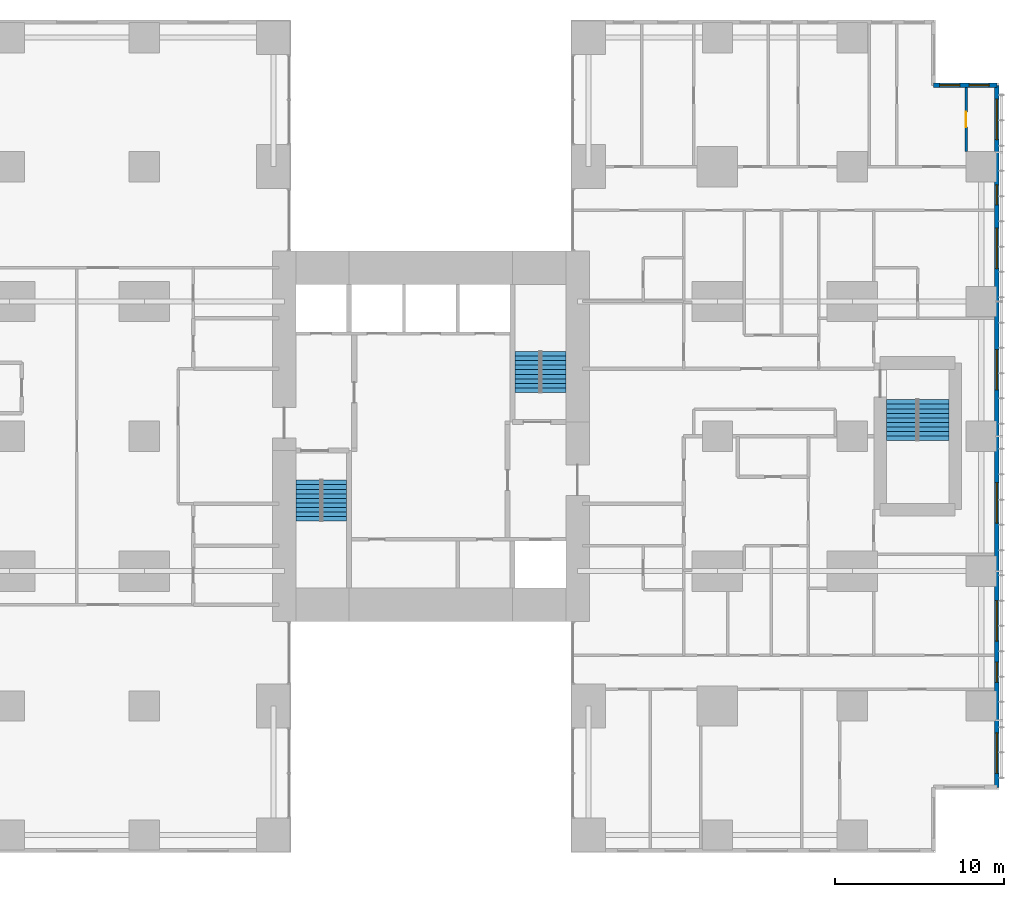
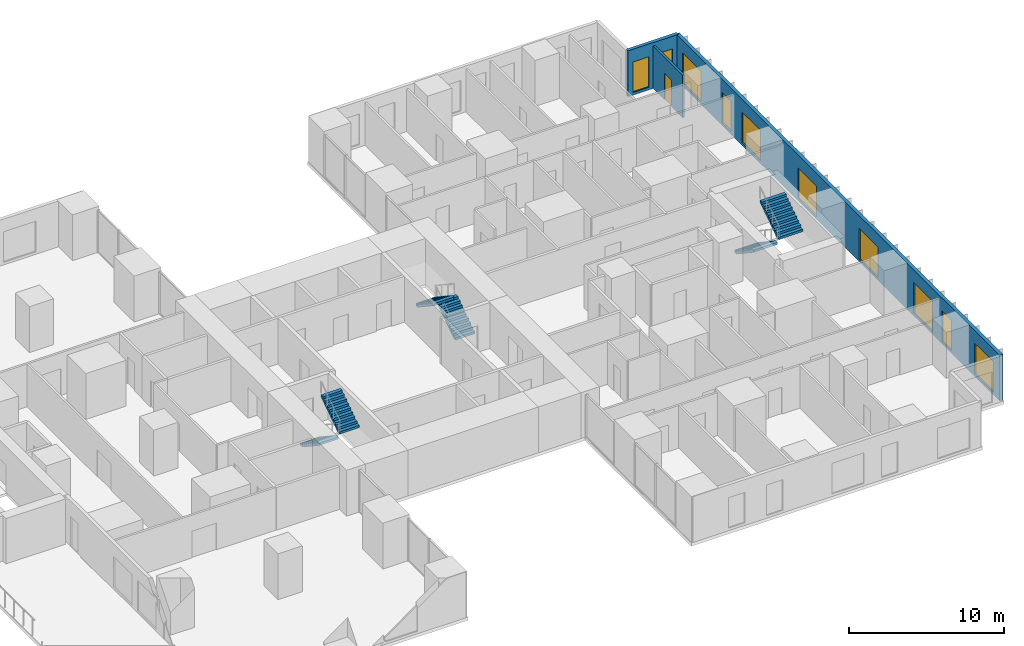
# One storey, part 15 of 16: 10 windows, 6 stair flights, 3 walls, 1 door, 11 openings, 3 elements without a shape of their own.
"""IFC4 building model written with IfcOpenShell, lengths in metres."""

from ifc_helpers import new_model, si_unit, direction, frame, frame_2d, origin, place, context, subcontext, project, spatial, polyline, rectangle, outline, extrude, material, layer, layer_set, type_object, element, fill, aggregate, save


model = new_model("IFC4")

# Units and contexts
model_context = context("Model", 3, precision=1e-05, world=origin(), true_north=direction((0.0, 1.0)))
body_context = subcontext(model_context, "Body", "Model", "MODEL_VIEW")
ifc_project = project(units=[si_unit("LENGTHUNIT", "METRE"), si_unit("AREAUNIT", "SQUARE_METRE"), si_unit("VOLUMEUNIT", "CUBIC_METRE"), si_unit("PLANEANGLEUNIT", "RADIAN"), si_unit("MASSUNIT", "GRAM", prefix="KILO")], contexts=[model_context])

# Site, building, storey
site_placement = place(None, origin())
site = spatial("IfcSite", under=ifc_project, at=site_placement, CompositionType="ELEMENT")
building_placement = place(site_placement, origin())
building = spatial("IfcBuilding", under=site, at=building_placement, Name="Cleftline Residences", CompositionType="ELEMENT")
storey_placement = place(building_placement, frame((0.0, 0.0, 218.199951171875)))
storey = spatial("IfcBuildingStorey", under=building, at=storey_placement, Name="L57", CompositionType="ELEMENT", Elevation=218.199951171875)

# Wall, openings, windows
ifc_material_1 = material(Name="Rendered reinforced concrete blockwork", Category="masonry")
ifc_layer_1 = layer(ifc_material_1, 0.25)
ifc_layer_set_1 = layer_set([ifc_layer_1], Name="EXTERNAL WALL 250")
wall_type_1 = type_object("IfcWallType", Name="EXTERNAL WALL 250", PredefinedType="SOLIDWALL", material=ifc_layer_set_1)
wall_1_placement = place(storey_placement, frame((66.574951171875, 3.175048828125, 0.0), z_axis=(0.0, 0.0, 1.0), x_axis=(0.0, 1.0, 0.0)))
wall_1 = element("IfcWall", 1, at=wall_1_placement, inside=storey, type_object=wall_type_1, Name="External wall", PredefinedType="SOLIDWALL", context=body_context, shape_type="SweptSolid", body=[
    extrude(rectangle(XDim=41.64990234375, YDim=0.25, at=frame_2d((20.824951171875, 0.0))), origin(), (0.0, 0.0, 1.0), 3.60009765625),
])
opening_1_placement = place(wall_1_placement, frame((0.824951171875, 0.0, 0.199951171875)))
opening_1 = element("IfcOpeningElement", 2, at=opening_1_placement, cuts=wall_1, Name="Opening W9", PredefinedType="OPENING", context=body_context, shape_type="SweptSolid", body=[
    extrude(rectangle(XDim=2.39990234375, YDim=2.39990234375, at=frame_2d((1.199951171875, 1.199951171875))), frame((0.0, 0.135009765625, 0.0), z_axis=(0.0, -1.0, 0.0), x_axis=(1.0, 0.0, 0.0)), (0.0, 0.0, 1.0), 0.27001953125),
])
opening_2_placement = place(wall_1_placement, frame((6.22509765625, 0.0, 0.199951171875)))
opening_2 = element("IfcOpeningElement", 3, at=opening_2_placement, cuts=wall_1, Name="Opening W13", PredefinedType="OPENING", context=body_context, shape_type="SweptSolid", body=[
    extrude(rectangle(XDim=1.199951171875, YDim=2.39990234375, at=frame_2d((0.60009765625, 1.199951171875))), frame((0.0, 0.135009765625, 0.0), z_axis=(0.0, -1.0, 0.0), x_axis=(1.0, 0.0, 0.0)), (0.0, 0.0, 1.0), 0.27001953125),
])
opening_3_placement = place(wall_1_placement, frame((8.675048828125, 0.0, 0.199951171875)))
opening_3 = element("IfcOpeningElement", 4, at=opening_3_placement, cuts=wall_1, Name="Opening W9", PredefinedType="OPENING", context=body_context, shape_type="SweptSolid", body=[
    extrude(rectangle(XDim=2.39990234375, YDim=2.39990234375, at=frame_2d((1.199951171875, 1.199951171875))), frame((0.0, 0.135009765625, 0.0), z_axis=(0.0, -1.0, 0.0), x_axis=(1.0, 0.0, 0.0)), (0.0, 0.0, 1.0), 0.27001953125),
])
opening_4_placement = place(wall_1_placement, frame((15.675048828125, 0.0, 0.199951171875)))
opening_4 = element("IfcOpeningElement", 5, at=opening_4_placement, cuts=wall_1, Name="Opening W9", PredefinedType="OPENING", context=body_context, shape_type="SweptSolid", body=[
    extrude(rectangle(XDim=2.39990234375, YDim=2.39990234375, at=frame_2d((1.199951171875, 1.199951171875))), frame((0.0, 0.135009765625, 0.0), z_axis=(0.0, -1.0, 0.0), x_axis=(1.0, 0.0, 0.0)), (0.0, 0.0, 1.0), 0.27001953125),
])
opening_5_placement = place(wall_1_placement, frame((23.574951171875, 0.0, 0.199951171875)))
opening_5 = element("IfcOpeningElement", 6, at=opening_5_placement, cuts=wall_1, Name="Opening W9", PredefinedType="OPENING", context=body_context, shape_type="SweptSolid", body=[
    extrude(rectangle(XDim=2.39990234375, YDim=2.39990234375, at=frame_2d((1.199951171875, 1.199951171875))), frame((0.0, 0.135009765625, 0.0), z_axis=(0.0, -1.0, 0.0), x_axis=(1.0, 0.0, 0.0)), (0.0, 0.0, 1.0), 0.27001953125),
])
opening_6_placement = place(wall_1_placement, frame((30.77490234375, 0.0, 0.199951171875)))
opening_6 = element("IfcOpeningElement", 7, at=opening_6_placement, cuts=wall_1, Name="Opening W9", PredefinedType="OPENING", context=body_context, shape_type="SweptSolid", body=[
    extrude(rectangle(XDim=2.39990234375, YDim=2.39990234375, at=frame_2d((1.199951171875, 1.199951171875))), frame((0.0, 0.135009765625, 0.0), z_axis=(0.0, -1.0, 0.0), x_axis=(1.0, 0.0, 0.0)), (0.0, 0.0, 1.0), 0.27001953125),
])
opening_7_placement = place(wall_1_placement, frame((34.550048828125, 0.0, 0.199951171875)))
opening_7 = element("IfcOpeningElement", 8, at=opening_7_placement, cuts=wall_1, Name="Opening W13", PredefinedType="OPENING", context=body_context, shape_type="SweptSolid", body=[
    extrude(rectangle(XDim=1.199951171875, YDim=2.39990234375, at=frame_2d((0.60009765625, 1.199951171875))), frame((0.0, 0.135009765625, 0.0), z_axis=(0.0, -1.0, 0.0), x_axis=(1.0, 0.0, 0.0)), (0.0, 0.0, 1.0), 0.27001953125),
])
opening_8_placement = place(wall_1_placement, frame((38.425048828125, 0.0, 0.199951171875)))
opening_8 = element("IfcOpeningElement", 9, at=opening_8_placement, cuts=wall_1, Name="Opening W9", PredefinedType="OPENING", context=body_context, shape_type="SweptSolid", body=[
    extrude(rectangle(XDim=2.39990234375, YDim=2.39990234375, at=frame_2d((1.199951171875, 1.199951171875))), frame((0.0, 0.135009765625, 0.0), z_axis=(0.0, -1.0, 0.0), x_axis=(1.0, 0.0, 0.0)), (0.0, 0.0, 1.0), 0.27001953125),
])
ifc_material_2 = material(Name="Aluminium frame, clear double glazing", Category="aluminium")
window_type_1 = type_object("IfcWindowType", Name="WINDOW 1200X2400", PartitioningType="DOUBLE_PANEL_VERTICAL", PredefinedType="WINDOW", material=ifc_material_2)
window_1_placement = place(opening_2_placement, origin())
window_1 = element("IfcWindow", 10, at=window_1_placement, inside=storey, type_object=window_type_1, Name="Window", OverallHeight=2.39990234375, OverallWidth=1.199951171875, PartitioningType="SINGLE_PANEL", PredefinedType="WINDOW", context=body_context, shape_type="SweptSolid", body=[
    extrude(rectangle(XDim=1.199951171875, YDim=2.39990234375, at=frame_2d((0.60009765625, 1.199951171875))), frame((0.0, 0.030029296875, 0.0), z_axis=(0.0, -1.0, 0.0), x_axis=(1.0, 0.0, 0.0)), (0.0, 0.0, 1.0), 0.06005859375),
])
fill(opening_2, window_1)
window_2_placement = place(opening_7_placement, origin())
window_2 = element("IfcWindow", 11, at=window_2_placement, inside=storey, type_object=window_type_1, Name="Window", OverallHeight=2.39990234375, OverallWidth=1.199951171875, PartitioningType="SINGLE_PANEL", PredefinedType="WINDOW", context=body_context, shape_type="SweptSolid", body=[
    extrude(rectangle(XDim=1.199951171875, YDim=2.39990234375, at=frame_2d((0.60009765625, 1.199951171875))), frame((0.0, 0.030029296875, 0.0), z_axis=(0.0, -1.0, 0.0), x_axis=(1.0, 0.0, 0.0)), (0.0, 0.0, 1.0), 0.06005859375),
])
fill(opening_7, window_2)
ifc_material_3 = material(Name="Aluminium frame, clear double glazing", Category="aluminium")
window_type_2 = type_object("IfcWindowType", Name="WINDOW 2400X2400", PartitioningType="DOUBLE_PANEL_VERTICAL", PredefinedType="WINDOW", material=ifc_material_3)
window_3_placement = place(opening_1_placement, origin())
window_3 = element("IfcWindow", 12, at=window_3_placement, inside=storey, type_object=window_type_2, Name="Window", OverallHeight=2.39990234375, OverallWidth=2.39990234375, PartitioningType="SINGLE_PANEL", PredefinedType="WINDOW", context=body_context, shape_type="SweptSolid", body=[
    extrude(rectangle(XDim=2.39990234375, YDim=2.39990234375, at=frame_2d((1.199951171875, 1.199951171875))), frame((0.0, 0.030029296875, 0.0), z_axis=(0.0, -1.0, 0.0), x_axis=(1.0, 0.0, 0.0)), (0.0, 0.0, 1.0), 0.06005859375),
])
fill(opening_1, window_3)
window_4_placement = place(opening_3_placement, origin())
window_4 = element("IfcWindow", 13, at=window_4_placement, inside=storey, type_object=window_type_2, Name="Window", OverallHeight=2.39990234375, OverallWidth=2.39990234375, PartitioningType="SINGLE_PANEL", PredefinedType="WINDOW", context=body_context, shape_type="SweptSolid", body=[
    extrude(rectangle(XDim=2.39990234375, YDim=2.39990234375, at=frame_2d((1.199951171875, 1.199951171875))), frame((0.0, 0.030029296875, 0.0), z_axis=(0.0, -1.0, 0.0), x_axis=(1.0, 0.0, 0.0)), (0.0, 0.0, 1.0), 0.06005859375),
])
fill(opening_3, window_4)
window_5_placement = place(opening_4_placement, origin())
window_5 = element("IfcWindow", 14, at=window_5_placement, inside=storey, type_object=window_type_2, Name="Window", OverallHeight=2.39990234375, OverallWidth=2.39990234375, PartitioningType="SINGLE_PANEL", PredefinedType="WINDOW", context=body_context, shape_type="SweptSolid", body=[
    extrude(rectangle(XDim=2.39990234375, YDim=2.39990234375, at=frame_2d((1.199951171875, 1.199951171875))), frame((0.0, 0.030029296875, 0.0), z_axis=(0.0, -1.0, 0.0), x_axis=(1.0, 0.0, 0.0)), (0.0, 0.0, 1.0), 0.06005859375),
])
fill(opening_4, window_5)
window_6_placement = place(opening_5_placement, origin())
window_6 = element("IfcWindow", 15, at=window_6_placement, inside=storey, type_object=window_type_2, Name="Window", OverallHeight=2.39990234375, OverallWidth=2.39990234375, PartitioningType="SINGLE_PANEL", PredefinedType="WINDOW", context=body_context, shape_type="SweptSolid", body=[
    extrude(rectangle(XDim=2.39990234375, YDim=2.39990234375, at=frame_2d((1.199951171875, 1.199951171875))), frame((0.0, 0.030029296875, 0.0), z_axis=(0.0, -1.0, 0.0), x_axis=(1.0, 0.0, 0.0)), (0.0, 0.0, 1.0), 0.06005859375),
])
fill(opening_5, window_6)
window_7_placement = place(opening_6_placement, origin())
window_7 = element("IfcWindow", 16, at=window_7_placement, inside=storey, type_object=window_type_2, Name="Window", OverallHeight=2.39990234375, OverallWidth=2.39990234375, PartitioningType="SINGLE_PANEL", PredefinedType="WINDOW", context=body_context, shape_type="SweptSolid", body=[
    extrude(rectangle(XDim=2.39990234375, YDim=2.39990234375, at=frame_2d((1.199951171875, 1.199951171875))), frame((0.0, 0.030029296875, 0.0), z_axis=(0.0, -1.0, 0.0), x_axis=(1.0, 0.0, 0.0)), (0.0, 0.0, 1.0), 0.06005859375),
])
fill(opening_6, window_7)
window_8_placement = place(opening_8_placement, origin())
window_8 = element("IfcWindow", 17, at=window_8_placement, inside=storey, type_object=window_type_2, Name="Window", OverallHeight=2.39990234375, OverallWidth=2.39990234375, PartitioningType="SINGLE_PANEL", PredefinedType="WINDOW", context=body_context, shape_type="SweptSolid", body=[
    extrude(rectangle(XDim=2.39990234375, YDim=2.39990234375, at=frame_2d((1.199951171875, 1.199951171875))), frame((0.0, 0.030029296875, 0.0), z_axis=(0.0, -1.0, 0.0), x_axis=(1.0, 0.0, 0.0)), (0.0, 0.0, 1.0), 0.06005859375),
])
fill(opening_8, window_8)

wall_2_placement = place(storey_placement, frame((66.574951171875, 44.824951171875, 0.0), z_axis=(0.0, 0.0, 1.0), x_axis=(-1.0, 0.0, 0.0)))
wall_2 = element("IfcWall", 18, at=wall_2_placement, inside=storey, type_object=wall_type_1, Name="External wall", PredefinedType="SOLIDWALL", context=body_context, shape_type="SweptSolid", body=[
    extrude(rectangle(XDim=3.75, YDim=0.25, at=frame_2d((1.875, 0.0))), origin(), (0.0, 0.0, 1.0), 3.60009765625),
])
opening_9_placement = place(wall_2_placement, frame((0.449951171875, 0.0, 0.199951171875)))
opening_9 = element("IfcOpeningElement", 19, at=opening_9_placement, cuts=wall_2, Name="Opening W13", PredefinedType="OPENING", context=body_context, shape_type="SweptSolid", body=[
    extrude(rectangle(XDim=1.199951171875, YDim=2.39990234375, at=frame_2d((0.60009765625, 1.199951171875))), frame((0.0, 0.135009765625, 0.0), z_axis=(0.0, -1.0, 0.0), x_axis=(1.0, 0.0, 0.0)), (0.0, 0.0, 1.0), 0.27001953125),
])
opening_10_placement = place(wall_2_placement, frame((2.1875, 0.0, 0.199951171875)))
opening_10 = element("IfcOpeningElement", 20, at=opening_10_placement, cuts=wall_2, Name="Opening W13", PredefinedType="OPENING", context=body_context, shape_type="SweptSolid", body=[
    extrude(rectangle(XDim=1.199951171875, YDim=2.39990234375, at=frame_2d((0.60009765625, 1.199951171875))), frame((0.0, 0.135009765625, 0.0), z_axis=(0.0, -1.0, 0.0), x_axis=(1.0, 0.0, 0.0)), (0.0, 0.0, 1.0), 0.27001953125),
])
window_9_placement = place(opening_9_placement, origin())
window_9 = element("IfcWindow", 21, at=window_9_placement, inside=storey, type_object=window_type_1, Name="Window", OverallHeight=2.39990234375, OverallWidth=1.199951171875, PartitioningType="SINGLE_PANEL", PredefinedType="WINDOW", context=body_context, shape_type="SweptSolid", body=[
    extrude(rectangle(XDim=1.199951171875, YDim=2.39990234375, at=frame_2d((0.60009765625, 1.199951171875))), frame((0.0, 0.030029296875, 0.0), z_axis=(0.0, -1.0, 0.0), x_axis=(1.0, 0.0, 0.0)), (0.0, 0.0, 1.0), 0.06005859375),
])
fill(opening_9, window_9)
window_10_placement = place(opening_10_placement, origin())
window_10 = element("IfcWindow", 22, at=window_10_placement, inside=storey, type_object=window_type_1, Name="Window", OverallHeight=2.39990234375, OverallWidth=1.199951171875, PartitioningType="SINGLE_PANEL", PredefinedType="WINDOW", context=body_context, shape_type="SweptSolid", body=[
    extrude(rectangle(XDim=1.199951171875, YDim=2.39990234375, at=frame_2d((0.60009765625, 1.199951171875))), frame((0.0, 0.030029296875, 0.0), z_axis=(0.0, -1.0, 0.0), x_axis=(1.0, 0.0, 0.0)), (0.0, 0.0, 1.0), 0.06005859375),
])
fill(opening_10, window_10)

# Wall, opening, door
ifc_material_4 = material(Name="Gypsum board on steel studs", Category="steel")
ifc_layer_2 = layer(ifc_material_4, 0.14990234375)
ifc_layer_set_2 = layer_set([ifc_layer_2], Name="PARTITION 150")
wall_type_2 = type_object("IfcWallType", Name="PARTITION 150", PredefinedType="PARTITIONING", material=ifc_layer_set_2)
wall_3_placement = place(storey_placement, frame((64.75, 40.89990234375, 0.0), z_axis=(0.0, 0.0, 1.0), x_axis=(0.0, 1.0, 0.0)))
wall_3 = element("IfcWall", 23, at=wall_3_placement, inside=storey, type_object=wall_type_2, Name="Partition", PredefinedType="PARTITIONING", context=body_context, shape_type="SweptSolid", body=[
    extrude(rectangle(XDim=3.800048828125, YDim=0.14990234375, at=frame_2d((1.89990234375, 0.0))), origin(), (0.0, 0.0, 1.0), 3.35009765625),
])
opening_11_placement = place(wall_3_placement, frame((1.449951171875, 0.0, 0.0)))
opening_11 = element("IfcOpeningElement", 24, at=opening_11_placement, cuts=wall_3, Name="Opening D1", PredefinedType="OPENING", context=body_context, shape_type="SweptSolid", body=[
    extrude(rectangle(XDim=0.89990234375, YDim=2.10009765625, at=frame_2d((0.449951171875, 1.050048828125))), frame((0.0, 0.0849609375, 0.0), z_axis=(0.0, -1.0, 0.0), x_axis=(1.0, 0.0, 0.0)), (0.0, 0.0, 1.0), 0.169921875),
])
ifc_material_5 = material(Name="Timber veneer on solid core", Category="wood")
door_type = type_object("IfcDoorType", Name="DOOR 900X2100", OperationType="SINGLE_SWING_LEFT", PredefinedType="DOOR", material=ifc_material_5)
door_placement = place(opening_11_placement, origin())
door = element("IfcDoor", 25, at=door_placement, inside=storey, type_object=door_type, Name="Door to music room", OperationType="SINGLE_SWING_LEFT", OverallHeight=2.10009765625, OverallWidth=0.89990234375, PredefinedType="DOOR", context=body_context, shape_type="SweptSolid", body=[
    extrude(rectangle(XDim=0.89990234375, YDim=2.10009765625, at=frame_2d((0.449951171875, 1.050048828125))), frame((0.0, 0.02490234375, 0.0), z_axis=(0.0, -1.0, 0.0), x_axis=(1.0, 0.0, 0.0)), (0.0, 0.0, 1.0), 0.050048828125),
])
fill(opening_11, door)

# Stair, stair flights
ifc_material_6 = material(Name="Concrete B45, stone treads", Category="masonry")
stair_type_1 = type_object("IfcStairType", Name="STAIR A 1450 WIDE 180 RISER", PredefinedType="HALF_TURN_STAIR", material=ifc_material_6)
stair_1_placement = place(storey_placement, origin())
stair_1 = element("IfcStair", 26, at=stair_1_placement, inside=storey, type_object=stair_type_1, Name="Stair A L57", PredefinedType="HALF_TURN_STAIR")
ifc_material_7 = material(Name="Concrete B45", Category="concrete")
stair_flight_type_1 = type_object("IfcStairFlightType", Name="STAIR A FLIGHT 1450X180", PredefinedType="STRAIGHT", material=ifc_material_7)
stair_flight_1_placement = place(storey_placement, frame((25.72509765625, 21.39990234375, 0.0), z_axis=(0.0, 0.0, 1.0), x_axis=(0.0, -1.0, 0.0)))
stair_flight_1 = element("IfcStairFlight", 27, at=stair_flight_1_placement, type_object=stair_flight_type_1, Name="ST-A flight 1", NumberOfRisers=10, NumberOfTreads=9, PredefinedType="STRAIGHT", RiserHeight=0.18, TreadLength=0.27, context=body_context, shape_type="SweptSolid", body=[
    extrude(outline(polyline([(0.0, 0.0), (0.0, 0.013916015625), (0.0, 0.027587890625), (0.0, 0.04150390625), (0.0, 0.055419921875), (0.0, 0.0693359375), (0.0, 0.0830078125), (0.0, 0.096923828125), (0.0, 0.11083984375), (0.0, 0.12451171875), (0.0, 0.138427734375), (0.0, 0.15234375), (0.0, 0.166259765625), (0.0, 0.179931640625), (0.27001953125, 0.179931640625), (0.27001953125, 0.360107421875), (0.5400390625, 0.360107421875), (0.5400390625, 0.5400390625), (0.81005859375, 0.5400390625), (0.81005859375, 0.719970703125), (1.080078125, 0.719970703125), (1.080078125, 0.89990234375), (1.35009765625, 0.89990234375), (1.35009765625, 1.080078125), (1.6201171875, 1.080078125), (1.6201171875, 1.260009765625), (1.889892578125, 1.260009765625), (1.889892578125, 1.43994140625), (2.159912109375, 1.43994140625), (2.159912109375, 1.6201171875), (2.429931640625, 1.6201171875), (2.429931640625, 1.800048828125), (2.429931640625, 1.772216796875), (2.429931640625, 1.74462890625), (2.429931640625, 1.716796875), (2.429931640625, 1.689208984375), (2.429931640625, 1.661376953125), (2.429931640625, 1.6337890625), (2.429931640625, 1.60595703125), (2.429931640625, 1.578369140625), (2.429931640625, 1.550537109375), (2.429931640625, 1.52294921875), (2.429931640625, 1.495361328125), (2.429931640625, 1.467529296875), (2.429931640625, 1.43994140625), (0.270263671875, 0.0), (0.0, 0.0)])), frame((0.0, 0.72509765625, 0.0), z_axis=(0.0, -1.0, 0.0), x_axis=(1.0, 0.0, 0.0)), (0.0, 0.0, 1.0), 1.449951171875),
])
stair_flight_2_placement = place(storey_placement, frame((27.27490234375, 18.969970703125, 1.800048828125), z_axis=(0.0, 0.0, 1.0), x_axis=(0.0, 1.0, 0.0)))
stair_flight_2 = element("IfcStairFlight", 28, at=stair_flight_2_placement, type_object=stair_flight_type_1, Name="ST-A flight 2", NumberOfRisers=10, NumberOfTreads=9, PredefinedType="STRAIGHT", RiserHeight=0.18, TreadLength=0.27, context=body_context, shape_type="SweptSolid", body=[
    extrude(outline(polyline([(0.0, 0.0), (0.0, 0.013916015625), (0.0, 0.027587890625), (0.0, 0.04150390625), (0.0, 0.055419921875), (0.0, 0.0693359375), (0.0, 0.0830078125), (0.0, 0.096923828125), (0.0, 0.11083984375), (0.0, 0.12451171875), (0.0, 0.138427734375), (0.0, 0.15234375), (0.0, 0.166259765625), (0.0, 0.179931640625), (0.27001953125, 0.179931640625), (0.27001953125, 0.360107421875), (0.5400390625, 0.360107421875), (0.5400390625, 0.5400390625), (0.81005859375, 0.5400390625), (0.81005859375, 0.719970703125), (1.080078125, 0.719970703125), (1.080078125, 0.89990234375), (1.35009765625, 0.89990234375), (1.35009765625, 1.080078125), (1.6201171875, 1.080078125), (1.6201171875, 1.260009765625), (1.889892578125, 1.260009765625), (1.889892578125, 1.43994140625), (2.159912109375, 1.43994140625), (2.159912109375, 1.6201171875), (2.429931640625, 1.6201171875), (2.429931640625, 1.800048828125), (2.429931640625, 1.772216796875), (2.429931640625, 1.74462890625), (2.429931640625, 1.716796875), (2.429931640625, 1.689208984375), (2.429931640625, 1.661376953125), (2.429931640625, 1.6337890625), (2.429931640625, 1.60595703125), (2.429931640625, 1.578369140625), (2.429931640625, 1.550537109375), (2.429931640625, 1.52294921875), (2.429931640625, 1.495361328125), (2.429931640625, 1.467529296875), (2.429931640625, 1.43994140625), (0.270263671875, 0.0), (0.0, 0.0)])), frame((0.0, 0.72509765625, 0.0), z_axis=(0.0, -1.0, 0.0), x_axis=(1.0, 0.0, 0.0)), (0.0, 0.0, 1.0), 1.449951171875),
])
aggregate(stair_1, [stair_flight_1, stair_flight_2])

ifc_material_8 = material(Name="Concrete B45, stone treads", Category="masonry")
stair_type_2 = type_object("IfcStairType", Name="STAIR B 1450 WIDE 180 RISER", PredefinedType="HALF_TURN_STAIR", material=ifc_material_8)
stair_2_placement = place(storey_placement, origin())
stair_2 = element("IfcStair", 29, at=stair_2_placement, inside=storey, type_object=stair_type_2, Name="Stair B L57", PredefinedType="HALF_TURN_STAIR")
ifc_material_9 = material(Name="Concrete B45", Category="concrete")
stair_flight_type_2 = type_object("IfcStairFlightType", Name="STAIR B FLIGHT 1450X180", PredefinedType="STRAIGHT", material=ifc_material_9)
stair_flight_3_placement = place(storey_placement, frame((40.27490234375, 26.60009765625, 0.0), z_axis=(0.0, 0.0, 1.0), x_axis=(0.0, 1.0, 0.0)))
stair_flight_3 = element("IfcStairFlight", 30, at=stair_flight_3_placement, type_object=stair_flight_type_2, Name="ST-B flight 1", NumberOfRisers=10, NumberOfTreads=9, PredefinedType="STRAIGHT", RiserHeight=0.18, TreadLength=0.27, context=body_context, shape_type="SweptSolid", body=[
    extrude(outline(polyline([(0.0, 0.0), (0.0, 0.013916015625), (0.0, 0.027587890625), (0.0, 0.04150390625), (0.0, 0.055419921875), (0.0, 0.0693359375), (0.0, 0.0830078125), (0.0, 0.096923828125), (0.0, 0.11083984375), (0.0, 0.12451171875), (0.0, 0.138427734375), (0.0, 0.15234375), (0.0, 0.166259765625), (0.0, 0.179931640625), (0.27001953125, 0.179931640625), (0.27001953125, 0.360107421875), (0.5400390625, 0.360107421875), (0.5400390625, 0.5400390625), (0.81005859375, 0.5400390625), (0.81005859375, 0.719970703125), (1.080078125, 0.719970703125), (1.080078125, 0.89990234375), (1.35009765625, 0.89990234375), (1.35009765625, 1.080078125), (1.6201171875, 1.080078125), (1.6201171875, 1.260009765625), (1.889892578125, 1.260009765625), (1.889892578125, 1.43994140625), (2.159912109375, 1.43994140625), (2.159912109375, 1.6201171875), (2.429931640625, 1.6201171875), (2.429931640625, 1.800048828125), (2.429931640625, 1.772216796875), (2.429931640625, 1.74462890625), (2.429931640625, 1.716796875), (2.429931640625, 1.689208984375), (2.429931640625, 1.661376953125), (2.429931640625, 1.6337890625), (2.429931640625, 1.60595703125), (2.429931640625, 1.578369140625), (2.429931640625, 1.550537109375), (2.429931640625, 1.52294921875), (2.429931640625, 1.495361328125), (2.429931640625, 1.467529296875), (2.429931640625, 1.43994140625), (0.270263671875, 0.0), (0.0, 0.0)])), frame((0.0, 0.72509765625, 0.0), z_axis=(0.0, -1.0, 0.0), x_axis=(1.0, 0.0, 0.0)), (0.0, 0.0, 1.0), 1.449951171875),
])
stair_flight_4_placement = place(storey_placement, frame((38.72509765625, 29.030029296875, 1.800048828125), z_axis=(0.0, 0.0, 1.0), x_axis=(0.0, -1.0, 0.0)))
stair_flight_4 = element("IfcStairFlight", 31, at=stair_flight_4_placement, type_object=stair_flight_type_2, Name="ST-B flight 2", NumberOfRisers=10, NumberOfTreads=9, PredefinedType="STRAIGHT", RiserHeight=0.18, TreadLength=0.27, context=body_context, shape_type="SweptSolid", body=[
    extrude(outline(polyline([(0.0, 0.0), (0.0, 0.013916015625), (0.0, 0.027587890625), (0.0, 0.04150390625), (0.0, 0.055419921875), (0.0, 0.0693359375), (0.0, 0.0830078125), (0.0, 0.096923828125), (0.0, 0.11083984375), (0.0, 0.12451171875), (0.0, 0.138427734375), (0.0, 0.15234375), (0.0, 0.166259765625), (0.0, 0.179931640625), (0.27001953125, 0.179931640625), (0.27001953125, 0.360107421875), (0.5400390625, 0.360107421875), (0.5400390625, 0.5400390625), (0.81005859375, 0.5400390625), (0.81005859375, 0.719970703125), (1.080078125, 0.719970703125), (1.080078125, 0.89990234375), (1.35009765625, 0.89990234375), (1.35009765625, 1.080078125), (1.6201171875, 1.080078125), (1.6201171875, 1.260009765625), (1.889892578125, 1.260009765625), (1.889892578125, 1.43994140625), (2.159912109375, 1.43994140625), (2.159912109375, 1.6201171875), (2.429931640625, 1.6201171875), (2.429931640625, 1.800048828125), (2.429931640625, 1.772216796875), (2.429931640625, 1.74462890625), (2.429931640625, 1.716796875), (2.429931640625, 1.689208984375), (2.429931640625, 1.661376953125), (2.429931640625, 1.6337890625), (2.429931640625, 1.60595703125), (2.429931640625, 1.578369140625), (2.429931640625, 1.550537109375), (2.429931640625, 1.52294921875), (2.429931640625, 1.495361328125), (2.429931640625, 1.467529296875), (2.429931640625, 1.43994140625), (0.270263671875, 0.0), (0.0, 0.0)])), frame((0.0, 0.72509765625, 0.0), z_axis=(0.0, -1.0, 0.0), x_axis=(1.0, 0.0, 0.0)), (0.0, 0.0, 1.0), 1.449951171875),
])
aggregate(stair_2, [stair_flight_3, stair_flight_4])

ifc_material_10 = material(Name="Concrete B45, stone treads", Category="masonry")
stair_type_3 = type_object("IfcStairType", Name="STAIR E 1800 WIDE 180 RISER", PredefinedType="HALF_TURN_STAIR", material=ifc_material_10)
stair_3_placement = place(storey_placement, origin())
stair_3 = element("IfcStair", 32, at=stair_3_placement, inside=storey, type_object=stair_type_3, Name="Stair E L57", PredefinedType="HALF_TURN_STAIR")
ifc_material_11 = material(Name="Concrete B45", Category="concrete")
stair_flight_type_3 = type_object("IfcStairFlightType", Name="STAIR E FLIGHT 1800X180", PredefinedType="STRAIGHT", material=ifc_material_11)
stair_flight_5_placement = place(storey_placement, frame((60.925048828125, 26.175048828125, 0.0), z_axis=(0.0, 0.0, 1.0), x_axis=(0.0, -1.0, 0.0)))
stair_flight_5 = element("IfcStairFlight", 33, at=stair_flight_5_placement, type_object=stair_flight_type_3, Name="ST-E flight 1", NumberOfRisers=10, NumberOfTreads=9, PredefinedType="STRAIGHT", RiserHeight=0.18, TreadLength=0.27, context=body_context, shape_type="SweptSolid", body=[
    extrude(outline(polyline([(0.0, 0.0), (0.0, 0.013916015625), (0.0, 0.027587890625), (0.0, 0.04150390625), (0.0, 0.055419921875), (0.0, 0.0693359375), (0.0, 0.0830078125), (0.0, 0.096923828125), (0.0, 0.11083984375), (0.0, 0.12451171875), (0.0, 0.138427734375), (0.0, 0.15234375), (0.0, 0.166259765625), (0.0, 0.179931640625), (0.27001953125, 0.179931640625), (0.27001953125, 0.360107421875), (0.5400390625, 0.360107421875), (0.5400390625, 0.5400390625), (0.81005859375, 0.5400390625), (0.81005859375, 0.719970703125), (1.080078125, 0.719970703125), (1.080078125, 0.89990234375), (1.35009765625, 0.89990234375), (1.35009765625, 1.080078125), (1.6201171875, 1.080078125), (1.6201171875, 1.260009765625), (1.889892578125, 1.260009765625), (1.889892578125, 1.43994140625), (2.159912109375, 1.43994140625), (2.159912109375, 1.6201171875), (2.429931640625, 1.6201171875), (2.429931640625, 1.800048828125), (2.429931640625, 1.772216796875), (2.429931640625, 1.74462890625), (2.429931640625, 1.716796875), (2.429931640625, 1.689208984375), (2.429931640625, 1.661376953125), (2.429931640625, 1.6337890625), (2.429931640625, 1.60595703125), (2.429931640625, 1.578369140625), (2.429931640625, 1.550537109375), (2.429931640625, 1.52294921875), (2.429931640625, 1.495361328125), (2.429931640625, 1.467529296875), (2.429931640625, 1.43994140625), (0.270263671875, 0.0), (0.0, 0.0)])), frame((0.0, 0.89990234375, 0.0), z_axis=(0.0, -1.0, 0.0), x_axis=(1.0, 0.0, 0.0)), (0.0, 0.0, 1.0), 1.800048828125),
])
stair_flight_6_placement = place(storey_placement, frame((62.824951171875, 23.7451171875, 1.800048828125), z_axis=(0.0, 0.0, 1.0), x_axis=(0.0, 1.0, 0.0)))
stair_flight_6 = element("IfcStairFlight", 34, at=stair_flight_6_placement, type_object=stair_flight_type_3, Name="ST-E flight 2", NumberOfRisers=10, NumberOfTreads=9, PredefinedType="STRAIGHT", RiserHeight=0.18, TreadLength=0.27, context=body_context, shape_type="SweptSolid", body=[
    extrude(outline(polyline([(0.0, 0.0), (0.0, 0.013916015625), (0.0, 0.027587890625), (0.0, 0.04150390625), (0.0, 0.055419921875), (0.0, 0.0693359375), (0.0, 0.0830078125), (0.0, 0.096923828125), (0.0, 0.11083984375), (0.0, 0.12451171875), (0.0, 0.138427734375), (0.0, 0.15234375), (0.0, 0.166259765625), (0.0, 0.179931640625), (0.27001953125, 0.179931640625), (0.27001953125, 0.360107421875), (0.5400390625, 0.360107421875), (0.5400390625, 0.5400390625), (0.81005859375, 0.5400390625), (0.81005859375, 0.719970703125), (1.080078125, 0.719970703125), (1.080078125, 0.89990234375), (1.35009765625, 0.89990234375), (1.35009765625, 1.080078125), (1.6201171875, 1.080078125), (1.6201171875, 1.260009765625), (1.889892578125, 1.260009765625), (1.889892578125, 1.43994140625), (2.159912109375, 1.43994140625), (2.159912109375, 1.6201171875), (2.429931640625, 1.6201171875), (2.429931640625, 1.800048828125), (2.429931640625, 1.772216796875), (2.429931640625, 1.74462890625), (2.429931640625, 1.716796875), (2.429931640625, 1.689208984375), (2.429931640625, 1.661376953125), (2.429931640625, 1.6337890625), (2.429931640625, 1.60595703125), (2.429931640625, 1.578369140625), (2.429931640625, 1.550537109375), (2.429931640625, 1.52294921875), (2.429931640625, 1.495361328125), (2.429931640625, 1.467529296875), (2.429931640625, 1.43994140625), (0.270263671875, 0.0), (0.0, 0.0)])), frame((0.0, 0.89990234375, 0.0), z_axis=(0.0, -1.0, 0.0), x_axis=(1.0, 0.0, 0.0)), (0.0, 0.0, 1.0), 1.800048828125),
])
aggregate(stair_3, [stair_flight_5, stair_flight_6])

save(model, "model.ifc")
